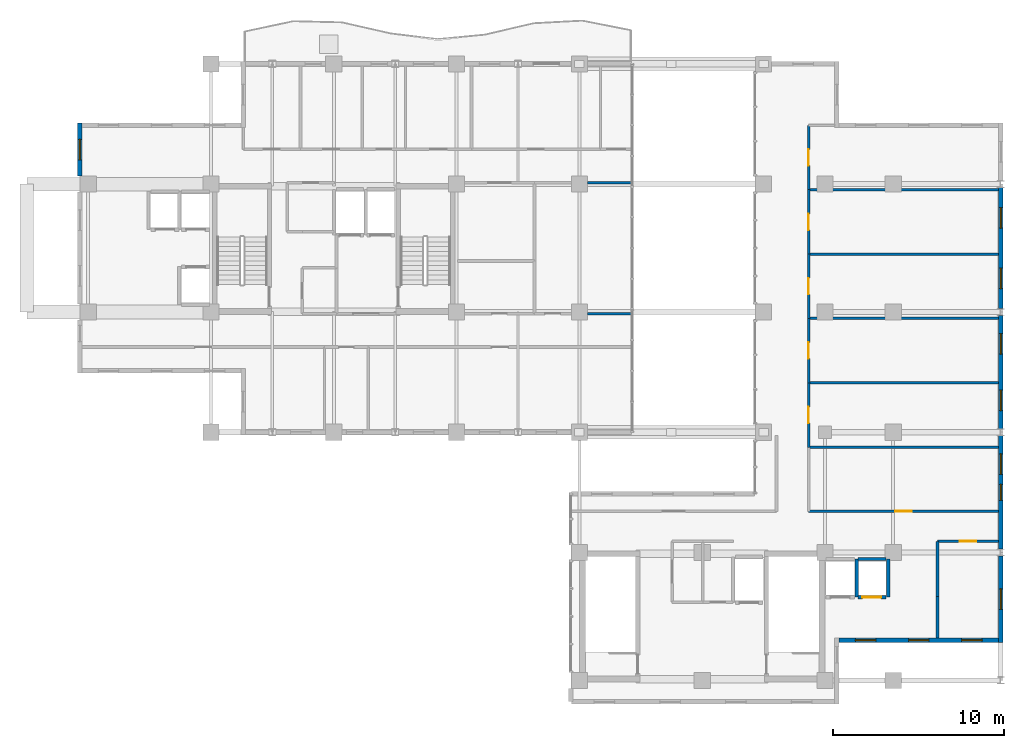
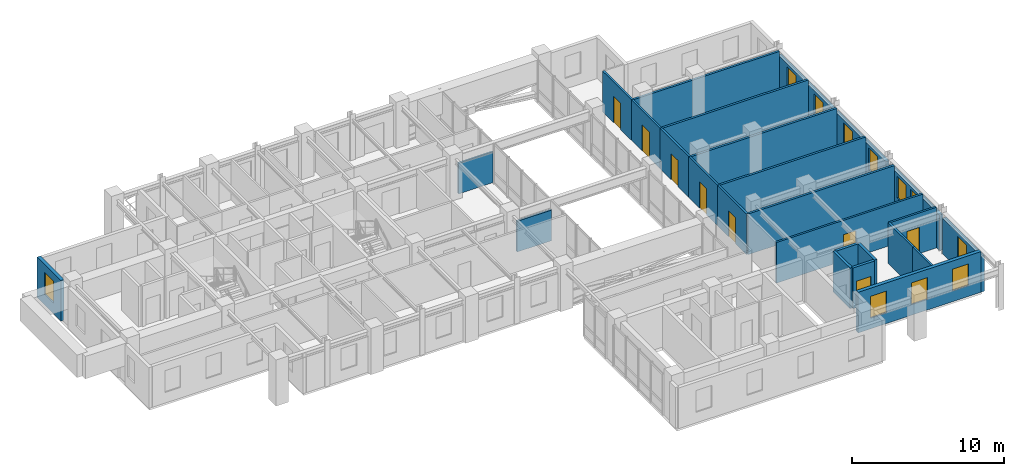
# One storey, part 19 of 23: 26 walls, 11 windows, 8 doors, 19 openings.
"""IFC4 building model written with IfcOpenShell, lengths in metres."""

from ifc_helpers import new_model, si_unit, direction, frame, frame_2d, origin, place, context, subcontext, project, spatial, rectangle, extrude, material, layer, layer_set, type_object, element, fill, save


model = new_model("IFC4")

# Units and contexts
model_context = context("Model", 3, precision=1e-05, world=origin(), true_north=direction((0.0, 1.0)))
body_context = subcontext(model_context, "Body", "Model", "MODEL_VIEW")
ifc_project = project(units=[si_unit("LENGTHUNIT", "METRE"), si_unit("AREAUNIT", "SQUARE_METRE"), si_unit("VOLUMEUNIT", "CUBIC_METRE"), si_unit("PLANEANGLEUNIT", "RADIAN"), si_unit("MASSUNIT", "GRAM", prefix="KILO")], contexts=[model_context])

# Site, building, storey
site_placement = place(None, origin())
site = spatial("IfcSite", under=ifc_project, at=site_placement, CompositionType="ELEMENT")
building_placement = place(site_placement, origin())
building = spatial("IfcBuilding", under=site, at=building_placement, Name="Kaliganga Portal Commons", CompositionType="ELEMENT")
storey_placement = place(building_placement, frame((0.0, 0.0, 246.199951171875)))
storey = spatial("IfcBuildingStorey", under=building, at=storey_placement, Name="L63", CompositionType="ELEMENT", Elevation=246.199951171875)

# Wall, opening, window
ifc_material_1 = material(Name="Insulated Aluminium-Clad Spandrel Assembly", Category="aluminium")
ifc_layer_1 = layer(ifc_material_1, 0.260009765625)
ifc_layer_set_1 = layer_set([ifc_layer_1], Name="Insulated Aluminium-Clad Spandrel Assembly")
wall_type_1 = type_object("IfcWallType", Name="WL-EXT-SPAND-260", PredefinedType="STANDARD", material=ifc_layer_set_1)
wall_1_placement = place(storey_placement, frame((6.699951171875, 36.6259765625, 0.0), z_axis=(0.0, 0.0, 1.0), x_axis=(0.0, 1.0, 0.0)))
wall_1 = element("IfcWall", 1, at=wall_1_placement, inside=storey, type_object=wall_type_1, Name="Exterior Envelope Wall L63 P1-E05-S1", PredefinedType="STANDARD", context=body_context, shape_type="SweptSolid", body=[
    extrude(rectangle(XDim=3.10400390625, YDim=0.260009765625, at=frame_2d((1.552001953125, 0.0))), origin(), (0.0, 0.0, 1.0), 3.260009765625),
])
opening_1_placement = place(wall_1_placement, frame((0.951904296875, 0.0, 0.85009765625)))
opening_1 = element("IfcOpeningElement", 2, at=opening_1_placement, cuts=wall_1, Name="Opening W-03", PredefinedType="OPENING", context=body_context, shape_type="SweptSolid", body=[
    extrude(rectangle(XDim=1.199951171875, YDim=1.75, at=frame_2d((0.60009765625, 0.875))), frame((0.0, 0.14013671875, 0.0), z_axis=(0.0, -1.0, 0.0), x_axis=(1.0, 0.0, 0.0)), (0.0, 0.0, 1.0), 0.280029296875),
])
ifc_material_2 = material(Name="Thermally Broken Aluminium and Low-E Double Glazing", Category="aluminium")
window_type_1 = type_object("IfcWindowType", Name="WIN-STD-1200", PartitioningType="SINGLE_PANEL", PredefinedType="WINDOW", material=ifc_material_2)
window_1_placement = place(opening_1_placement, origin())
window_1 = element("IfcWindow", 3, at=window_1_placement, inside=storey, type_object=window_type_1, Name="Facade Window L63-P1E05S1-00", OverallHeight=1.75, OverallWidth=1.199951171875, PartitioningType="SINGLE_PANEL", PredefinedType="WINDOW", context=body_context, shape_type="SweptSolid", body=[
    extrude(rectangle(XDim=1.199951171875, YDim=1.75, at=frame_2d((0.60009765625, 0.875))), frame((0.0, 0.030029296875, 0.0), z_axis=(0.0, -1.0, 0.0), x_axis=(1.0, 0.0, 0.0)), (0.0, 0.0, 1.0), 0.06005859375),
])
fill(opening_1, window_1)

# Wall, openings, windows
wall_2_placement = place(storey_placement, frame((60.56494140625, 9.39990234375, 0.0), z_axis=(0.0, 0.0, 1.0), x_axis=(-1.0, 0.0, 0.0)))
wall_2 = element("IfcWall", 4, at=wall_2_placement, inside=storey, type_object=wall_type_1, Name="Exterior Envelope Wall L63 P2-E02-S1", PredefinedType="STANDARD", context=body_context, shape_type="SweptSolid", body=[
    extrude(rectangle(XDim=9.329833984375, YDim=0.260009765625, at=frame_2d((4.6650390625, 0.0))), origin(), (0.0, 0.0, 1.0), 3.260009765625),
])
opening_2_placement = place(wall_2_placement, frame((0.955078125, 0.0, 0.85009765625)))
opening_2 = element("IfcOpeningElement", 5, at=opening_2_placement, cuts=wall_2, Name="Opening W-03", PredefinedType="OPENING", context=body_context, shape_type="SweptSolid", body=[
    extrude(rectangle(XDim=1.199951171875, YDim=1.75, at=frame_2d((0.60009765625, 0.875))), frame((0.0, 0.14013671875, 0.0), z_axis=(0.0, -1.0, 0.0), x_axis=(1.0, 0.0, 0.0)), (0.0, 0.0, 1.0), 0.280029296875),
])
opening_3_placement = place(wall_2_placement, frame((4.06494140625, 0.0, 0.85009765625)))
opening_3 = element("IfcOpeningElement", 6, at=opening_3_placement, cuts=wall_2, Name="Opening W-03", PredefinedType="OPENING", context=body_context, shape_type="SweptSolid", body=[
    extrude(rectangle(XDim=1.199951171875, YDim=1.75, at=frame_2d((0.60009765625, 0.875))), frame((0.0, 0.14013671875, 0.0), z_axis=(0.0, -1.0, 0.0), x_axis=(1.0, 0.0, 0.0)), (0.0, 0.0, 1.0), 0.280029296875),
])
opening_4_placement = place(wall_2_placement, frame((7.175048828125, 0.0, 0.85009765625)))
opening_4 = element("IfcOpeningElement", 7, at=opening_4_placement, cuts=wall_2, Name="Opening W-03", PredefinedType="OPENING", context=body_context, shape_type="SweptSolid", body=[
    extrude(rectangle(XDim=1.199951171875, YDim=1.75, at=frame_2d((0.60009765625, 0.875))), frame((0.0, 0.14013671875, 0.0), z_axis=(0.0, -1.0, 0.0), x_axis=(1.0, 0.0, 0.0)), (0.0, 0.0, 1.0), 0.280029296875),
])
window_2_placement = place(opening_2_placement, origin())
window_2 = element("IfcWindow", 8, at=window_2_placement, inside=storey, type_object=window_type_1, Name="Facade Window L63-P2E02S1-00", OverallHeight=1.75, OverallWidth=1.199951171875, PartitioningType="SINGLE_PANEL", PredefinedType="WINDOW", context=body_context, shape_type="SweptSolid", body=[
    extrude(rectangle(XDim=1.199951171875, YDim=1.75, at=frame_2d((0.60009765625, 0.875))), frame((0.0, 0.030029296875, 0.0), z_axis=(0.0, -1.0, 0.0), x_axis=(1.0, 0.0, 0.0)), (0.0, 0.0, 1.0), 0.06005859375),
])
fill(opening_2, window_2)
window_3_placement = place(opening_3_placement, origin())
window_3 = element("IfcWindow", 9, at=window_3_placement, inside=storey, type_object=window_type_1, Name="Facade Window L63-P2E02S1-01", OverallHeight=1.75, OverallWidth=1.199951171875, PartitioningType="SINGLE_PANEL", PredefinedType="WINDOW", context=body_context, shape_type="SweptSolid", body=[
    extrude(rectangle(XDim=1.199951171875, YDim=1.75, at=frame_2d((0.60009765625, 0.875))), frame((0.0, 0.030029296875, 0.0), z_axis=(0.0, -1.0, 0.0), x_axis=(1.0, 0.0, 0.0)), (0.0, 0.0, 1.0), 0.06005859375),
])
fill(opening_3, window_3)
window_4_placement = place(opening_4_placement, origin())
window_4 = element("IfcWindow", 10, at=window_4_placement, inside=storey, type_object=window_type_1, Name="Facade Window L63-P2E02S1-02", OverallHeight=1.75, OverallWidth=1.199951171875, PartitioningType="SINGLE_PANEL", PredefinedType="WINDOW", context=body_context, shape_type="SweptSolid", body=[
    extrude(rectangle(XDim=1.199951171875, YDim=1.75, at=frame_2d((0.60009765625, 0.875))), frame((0.0, 0.030029296875, 0.0), z_axis=(0.0, -1.0, 0.0), x_axis=(1.0, 0.0, 0.0)), (0.0, 0.0, 1.0), 0.06005859375),
])
fill(opening_4, window_4)

# Wall, opening, window
wall_3_placement = place(storey_placement, frame((60.699951171875, 14.34912109375, 0.0), z_axis=(0.0, 0.0, 1.0), x_axis=(0.0, -1.0, 0.0)))
wall_3 = element("IfcWall", 11, at=wall_3_placement, inside=storey, type_object=wall_type_1, Name="Exterior Envelope Wall L63 P2-E03-S1", PredefinedType="STANDARD", context=body_context, shape_type="SweptSolid", body=[
    extrude(rectangle(XDim=5.0791015625, YDim=0.260009765625, at=frame_2d((2.53955078125, 0.0))), origin(), (0.0, 0.0, 1.0), 2.860107421875),
])
opening_5_placement = place(wall_3_placement, frame((1.939453125, 0.0, 0.85009765625)))
opening_5 = element("IfcOpeningElement", 12, at=opening_5_placement, cuts=wall_3, Name="Opening W-03", PredefinedType="OPENING", context=body_context, shape_type="SweptSolid", body=[
    extrude(rectangle(XDim=1.199951171875, YDim=1.75, at=frame_2d((0.60009765625, 0.875))), frame((0.0, 0.14013671875, 0.0), z_axis=(0.0, -1.0, 0.0), x_axis=(1.0, 0.0, 0.0)), (0.0, 0.0, 1.0), 0.280029296875),
])
window_5_placement = place(opening_5_placement, origin())
window_5 = element("IfcWindow", 13, at=window_5_placement, inside=storey, type_object=window_type_1, Name="Facade Window L63-P2E03S1-00", OverallHeight=1.75, OverallWidth=1.199951171875, PartitioningType="SINGLE_PANEL", PredefinedType="WINDOW", context=body_context, shape_type="SweptSolid", body=[
    extrude(rectangle(XDim=1.199951171875, YDim=1.75, at=frame_2d((0.60009765625, 0.875))), frame((0.0, 0.030029296875, 0.0), z_axis=(0.0, -1.0, 0.0), x_axis=(1.0, 0.0, 0.0)), (0.0, 0.0, 1.0), 0.06005859375),
])
fill(opening_5, window_5)

# Wall, openings, windows
wall_4_placement = place(storey_placement, frame((60.699951171875, 21.39892578125, 0.0), z_axis=(0.0, 0.0, 1.0), x_axis=(0.0, -1.0, 0.0)))
wall_4 = element("IfcWall", 14, at=wall_4_placement, inside=storey, type_object=wall_type_1, Name="Exterior Envelope Wall L63 P2-E03-S2", PredefinedType="STANDARD", context=body_context, shape_type="SweptSolid", body=[
    extrude(rectangle(XDim=6.64794921875, YDim=0.260009765625, at=frame_2d((3.323974609375, 0.0))), origin(), (0.0, 0.0, 1.0), 2.860107421875),
])
opening_6_placement = place(wall_4_placement, frame((1.06201171875, 0.0, 0.85009765625)))
opening_6 = element("IfcOpeningElement", 15, at=opening_6_placement, cuts=wall_4, Name="Opening W-03", PredefinedType="OPENING", context=body_context, shape_type="SweptSolid", body=[
    extrude(rectangle(XDim=1.199951171875, YDim=1.75, at=frame_2d((0.60009765625, 0.875))), frame((0.0, 0.14013671875, 0.0), z_axis=(0.0, -1.0, 0.0), x_axis=(1.0, 0.0, 0.0)), (0.0, 0.0, 1.0), 0.280029296875),
])
opening_7_placement = place(wall_4_placement, frame((2.84912109375, 0.0, 0.85009765625)))
opening_7 = element("IfcOpeningElement", 16, at=opening_7_placement, cuts=wall_4, Name="Opening W-04", PredefinedType="OPENING", context=body_context, shape_type="SweptSolid", body=[
    extrude(rectangle(XDim=0.949951171875, YDim=1.75, at=frame_2d((0.47509765625, 0.875))), frame((0.0, 0.14013671875, 0.0), z_axis=(0.0, -1.0, 0.0), x_axis=(1.0, 0.0, 0.0)), (0.0, 0.0, 1.0), 0.280029296875),
])
window_type_2 = type_object("IfcWindowType", Name="WIN-NARROW-950", PartitioningType="SINGLE_PANEL", PredefinedType="WINDOW", material=ifc_material_2)
window_6_placement = place(opening_7_placement, origin())
window_6 = element("IfcWindow", 17, at=window_6_placement, inside=storey, type_object=window_type_2, Name="Facade Window L63-P2E03S2-N0", OverallHeight=1.75, OverallWidth=0.949951171875, PartitioningType="SINGLE_PANEL", PredefinedType="WINDOW", context=body_context, shape_type="SweptSolid", body=[
    extrude(rectangle(XDim=0.949951171875, YDim=1.75, at=frame_2d((0.47509765625, 0.875))), frame((0.0, 0.030029296875, 0.0), z_axis=(0.0, -1.0, 0.0), x_axis=(1.0, 0.0, 0.0)), (0.0, 0.0, 1.0), 0.06005859375),
])
fill(opening_7, window_6)
window_7_placement = place(opening_6_placement, origin())
window_7 = element("IfcWindow", 18, at=window_7_placement, inside=storey, type_object=window_type_1, Name="Facade Window L63-P2E03S2-00", OverallHeight=1.75, OverallWidth=1.199951171875, PartitioningType="SINGLE_PANEL", PredefinedType="WINDOW", context=body_context, shape_type="SweptSolid", body=[
    extrude(rectangle(XDim=1.199951171875, YDim=1.75, at=frame_2d((0.60009765625, 0.875))), frame((0.0, 0.030029296875, 0.0), z_axis=(0.0, -1.0, 0.0), x_axis=(1.0, 0.0, 0.0)), (0.0, 0.0, 1.0), 0.06005859375),
])
fill(opening_6, window_7)

wall_5_placement = place(storey_placement, frame((60.699951171875, 28.448974609375, 0.0), z_axis=(0.0, 0.0, 1.0), x_axis=(0.0, -1.0, 0.0)))
wall_5 = element("IfcWall", 19, at=wall_5_placement, inside=storey, type_object=wall_type_1, Name="Exterior Envelope Wall L63 P2-E03-S3", PredefinedType="STANDARD", context=body_context, shape_type="SweptSolid", body=[
    extrude(rectangle(XDim=6.64794921875, YDim=0.260009765625, at=frame_2d((3.323974609375, 0.0))), origin(), (0.0, 0.0, 1.0), 2.860107421875),
])
opening_8_placement = place(wall_5_placement, frame((1.06201171875, 0.0, 0.85009765625)))
opening_8 = element("IfcOpeningElement", 20, at=opening_8_placement, cuts=wall_5, Name="Opening W-03", PredefinedType="OPENING", context=body_context, shape_type="SweptSolid", body=[
    extrude(rectangle(XDim=1.199951171875, YDim=1.75, at=frame_2d((0.60009765625, 0.875))), frame((0.0, 0.14013671875, 0.0), z_axis=(0.0, -1.0, 0.0), x_axis=(1.0, 0.0, 0.0)), (0.0, 0.0, 1.0), 0.280029296875),
])
opening_9_placement = place(wall_5_placement, frame((4.385986328125, 0.0, 0.85009765625)))
opening_9 = element("IfcOpeningElement", 21, at=opening_9_placement, cuts=wall_5, Name="Opening W-03", PredefinedType="OPENING", context=body_context, shape_type="SweptSolid", body=[
    extrude(rectangle(XDim=1.199951171875, YDim=1.75, at=frame_2d((0.60009765625, 0.875))), frame((0.0, 0.14013671875, 0.0), z_axis=(0.0, -1.0, 0.0), x_axis=(1.0, 0.0, 0.0)), (0.0, 0.0, 1.0), 0.280029296875),
])
window_8_placement = place(opening_8_placement, origin())
window_8 = element("IfcWindow", 22, at=window_8_placement, inside=storey, type_object=window_type_1, Name="Facade Window L63-P2E03S3-00", OverallHeight=1.75, OverallWidth=1.199951171875, PartitioningType="SINGLE_PANEL", PredefinedType="WINDOW", context=body_context, shape_type="SweptSolid", body=[
    extrude(rectangle(XDim=1.199951171875, YDim=1.75, at=frame_2d((0.60009765625, 0.875))), frame((0.0, 0.030029296875, 0.0), z_axis=(0.0, -1.0, 0.0), x_axis=(1.0, 0.0, 0.0)), (0.0, 0.0, 1.0), 0.06005859375),
])
fill(opening_8, window_8)
window_9_placement = place(opening_9_placement, origin())
window_9 = element("IfcWindow", 23, at=window_9_placement, inside=storey, type_object=window_type_1, Name="Facade Window L63-P2E03S3-01", OverallHeight=1.75, OverallWidth=1.199951171875, PartitioningType="SINGLE_PANEL", PredefinedType="WINDOW", context=body_context, shape_type="SweptSolid", body=[
    extrude(rectangle(XDim=1.199951171875, YDim=1.75, at=frame_2d((0.60009765625, 0.875))), frame((0.0, 0.030029296875, 0.0), z_axis=(0.0, -1.0, 0.0), x_axis=(1.0, 0.0, 0.0)), (0.0, 0.0, 1.0), 0.06005859375),
])
fill(opening_9, window_9)

wall_6_placement = place(storey_placement, frame((60.699951171875, 35.948974609375, 0.0), z_axis=(0.0, 0.0, 1.0), x_axis=(0.0, -1.0, 0.0)))
wall_6 = element("IfcWall", 24, at=wall_6_placement, inside=storey, type_object=wall_type_1, Name="Exterior Envelope Wall L63 P2-E03-S4", PredefinedType="STANDARD", context=body_context, shape_type="SweptSolid", body=[
    extrude(rectangle(XDim=7.097900390625, YDim=0.260009765625, at=frame_2d((3.548828125, 0.0))), origin(), (0.0, 0.0, 1.0), 2.860107421875),
])
opening_10_placement = place(wall_6_placement, frame((1.174560546875, 0.0, 0.85009765625)))
opening_10 = element("IfcOpeningElement", 25, at=opening_10_placement, cuts=wall_6, Name="Opening W-03", PredefinedType="OPENING", context=body_context, shape_type="SweptSolid", body=[
    extrude(rectangle(XDim=1.199951171875, YDim=1.75, at=frame_2d((0.60009765625, 0.875))), frame((0.0, 0.14013671875, 0.0), z_axis=(0.0, -1.0, 0.0), x_axis=(1.0, 0.0, 0.0)), (0.0, 0.0, 1.0), 0.280029296875),
])
opening_11_placement = place(wall_6_placement, frame((4.723388671875, 0.0, 0.85009765625)))
opening_11 = element("IfcOpeningElement", 26, at=opening_11_placement, cuts=wall_6, Name="Opening W-03", PredefinedType="OPENING", context=body_context, shape_type="SweptSolid", body=[
    extrude(rectangle(XDim=1.199951171875, YDim=1.75, at=frame_2d((0.60009765625, 0.875))), frame((0.0, 0.14013671875, 0.0), z_axis=(0.0, -1.0, 0.0), x_axis=(1.0, 0.0, 0.0)), (0.0, 0.0, 1.0), 0.280029296875),
])
window_10_placement = place(opening_10_placement, origin())
window_10 = element("IfcWindow", 27, at=window_10_placement, inside=storey, type_object=window_type_1, Name="Facade Window L63-P2E03S4-00", OverallHeight=1.75, OverallWidth=1.199951171875, PartitioningType="SINGLE_PANEL", PredefinedType="WINDOW", context=body_context, shape_type="SweptSolid", body=[
    extrude(rectangle(XDim=1.199951171875, YDim=1.75, at=frame_2d((0.60009765625, 0.875))), frame((0.0, 0.030029296875, 0.0), z_axis=(0.0, -1.0, 0.0), x_axis=(1.0, 0.0, 0.0)), (0.0, 0.0, 1.0), 0.06005859375),
])
fill(opening_10, window_10)
window_11_placement = place(opening_11_placement, origin())
window_11 = element("IfcWindow", 28, at=window_11_placement, inside=storey, type_object=window_type_1, Name="Facade Window L63-P2E03S4-01", OverallHeight=1.75, OverallWidth=1.199951171875, PartitioningType="SINGLE_PANEL", PredefinedType="WINDOW", context=body_context, shape_type="SweptSolid", body=[
    extrude(rectangle(XDim=1.199951171875, YDim=1.75, at=frame_2d((0.60009765625, 0.875))), frame((0.0, 0.030029296875, 0.0), z_axis=(0.0, -1.0, 0.0), x_axis=(1.0, 0.0, 0.0)), (0.0, 0.0, 1.0), 0.06005859375),
])
fill(opening_11, window_11)

# Wall, opening, door
ifc_material_3 = material(Name="Fire-Rated Gypsum Board on Steel Stud", Category="steel")
ifc_layer_2 = layer(ifc_material_3, 0.14990234375)
ifc_layer_set_2 = layer_set([ifc_layer_2], Name="Fire-Rated Gypsum Board on Steel Stud")
wall_type_2 = type_object("IfcWallType", Name="WL-PART-CORR-150", PredefinedType="PARTITIONING", material=ifc_layer_set_2)
wall_7_placement = place(storey_placement, frame((49.43994140625, 16.9599609375, 0.0), z_axis=(0.0, 0.0, 1.0), x_axis=(1.0, 0.0, 0.0)))
wall_7 = element("IfcWall", 29, at=wall_7_placement, inside=storey, type_object=wall_type_2, Name="Interior Partition L63-004", PredefinedType="PARTITIONING", context=body_context, shape_type="SweptSolid", body=[
    extrude(rectangle(XDim=11.128173828125, YDim=0.14990234375, at=frame_2d((5.56396484375, 0.0))), origin(), (0.0, 0.0, 1.0), 3.260009765625),
])
opening_12_placement = place(wall_7_placement, frame((5.089111328125, 0.0, 0.0)))
opening_12 = element("IfcOpeningElement", 30, at=opening_12_placement, cuts=wall_7, Name="Opening UD-01", PredefinedType="OPENING", context=body_context, shape_type="SweptSolid", body=[
    extrude(rectangle(XDim=0.949951171875, YDim=2.10009765625, at=frame_2d((0.47509765625, 1.050048828125))), frame((0.0, 0.0849609375, 0.0), z_axis=(0.0, -1.0, 0.0), x_axis=(1.0, 0.0, 0.0)), (0.0, 0.0, 1.0), 0.169921875),
])
ifc_material_4 = material(Name="Solid-Core Timber Acoustic Fire Door", Category="wood")
door_type_1 = type_object("IfcDoorType", Name="DR-UNIT-950", OperationType="NOTDEFINED", PredefinedType="DOOR", material=ifc_material_4)
door_1_placement = place(opening_12_placement, origin())
door_1 = element("IfcDoor", 31, at=door_1_placement, inside=storey, type_object=door_type_1, Name="Interior Door L63-BP01", OperationType="SINGLE_SWING_LEFT", OverallHeight=2.10009765625, OverallWidth=0.949951171875, PredefinedType="DOOR", context=body_context, shape_type="SweptSolid", body=[
    extrude(rectangle(XDim=0.949951171875, YDim=2.10009765625, at=frame_2d((0.47509765625, 1.050048828125))), frame((0.0, 0.02490234375, 0.0), z_axis=(0.0, -1.0, 0.0), x_axis=(1.0, 0.0, 0.0)), (0.0, 0.0, 1.0), 0.050048828125),
])
fill(opening_12, door_1)

# Walls
for number, where, z_axis, x_axis, name in (
    (32, (36.47509765625, 28.56005859375, 0.0), (0.0, 0.0, 1.0), (1.0, 0.0, 0.0), "Interior Partition L63-007"),
    (33, (36.47509765625, 36.239990234375, 0.0), (0.0, 0.0, 1.0), (1.0, 0.0, 0.0), "Interior Partition L63-009"),
):
    element("IfcWall", number, at=place(storey_placement, frame(where, z_axis=z_axis, x_axis=x_axis)), inside=storey, type_object=wall_type_2, Name=name, PredefinedType="PARTITIONING", context=body_context, shape_type="SweptSolid", body=[
        extrude(rectangle(XDim=2.60498046875, YDim=0.14990234375, at=frame_2d((1.302490234375, 0.0))), origin(), (0.0, 0.0, 1.0), 2.4599609375),
    ])

# Wall, opening, door
wall_8_placement = place(storey_placement, frame((49.43994140625, 20.719970703125, 0.0), z_axis=(0.0, 0.0, 1.0), x_axis=(0.0, 1.0, 0.0)))
wall_8 = element("IfcWall", 34, at=wall_8_placement, inside=storey, type_object=wall_type_2, Name="Interior Partition L63-014", PredefinedType="PARTITIONING", context=body_context, shape_type="SweptSolid", body=[
    extrude(rectangle(XDim=3.780029296875, YDim=0.14990234375, at=frame_2d((1.89013671875, 0.0))), origin(), (0.0, 0.0, 1.0), 3.260009765625),
])
opening_13_placement = place(wall_8_placement, frame((1.4150390625, 0.0, 0.0)))
opening_13 = element("IfcOpeningElement", 35, at=opening_13_placement, cuts=wall_8, Name="Opening UD-01", PredefinedType="OPENING", context=body_context, shape_type="SweptSolid", body=[
    extrude(rectangle(XDim=0.949951171875, YDim=2.10009765625, at=frame_2d((0.47509765625, 1.050048828125))), frame((0.0, 0.0849609375, 0.0), z_axis=(0.0, -1.0, 0.0), x_axis=(1.0, 0.0, 0.0)), (0.0, 0.0, 1.0), 0.169921875),
])
door_2_placement = place(opening_13_placement, origin())
door_2 = element("IfcDoor", 36, at=door_2_placement, inside=storey, type_object=door_type_1, Name="Interior Door L63-BP02", OperationType="SINGLE_SWING_LEFT", OverallHeight=2.10009765625, OverallWidth=0.949951171875, PredefinedType="DOOR", context=body_context, shape_type="SweptSolid", body=[
    extrude(rectangle(XDim=0.949951171875, YDim=2.10009765625, at=frame_2d((0.47509765625, 1.050048828125))), frame((0.0, 0.02490234375, 0.0), z_axis=(0.0, -1.0, 0.0), x_axis=(1.0, 0.0, 0.0)), (0.0, 0.0, 1.0), 0.050048828125),
])
fill(opening_13, door_2)

wall_9_placement = place(storey_placement, frame((49.43994140625, 24.5, 0.0), z_axis=(0.0, 0.0, 1.0), x_axis=(0.0, 1.0, 0.0)))
wall_9 = element("IfcWall", 37, at=wall_9_placement, inside=storey, type_object=wall_type_2, Name="Interior Partition L63-015", PredefinedType="PARTITIONING", context=body_context, shape_type="SweptSolid", body=[
    extrude(rectangle(XDim=3.780029296875, YDim=0.14990234375, at=frame_2d((1.89013671875, 0.0))), origin(), (0.0, 0.0, 1.0), 3.260009765625),
])
opening_14_placement = place(wall_9_placement, frame((1.4150390625, 0.0, 0.0)))
opening_14 = element("IfcOpeningElement", 38, at=opening_14_placement, cuts=wall_9, Name="Opening UD-01", PredefinedType="OPENING", context=body_context, shape_type="SweptSolid", body=[
    extrude(rectangle(XDim=0.949951171875, YDim=2.10009765625, at=frame_2d((0.47509765625, 1.050048828125))), frame((0.0, 0.0849609375, 0.0), z_axis=(0.0, -1.0, 0.0), x_axis=(1.0, 0.0, 0.0)), (0.0, 0.0, 1.0), 0.169921875),
])
door_3_placement = place(opening_14_placement, origin())
door_3 = element("IfcDoor", 39, at=door_3_placement, inside=storey, type_object=door_type_1, Name="Interior Door L63-BP03", OperationType="SINGLE_SWING_RIGHT", OverallHeight=2.10009765625, OverallWidth=0.949951171875, PredefinedType="DOOR", context=body_context, shape_type="SweptSolid", body=[
    extrude(rectangle(XDim=0.949951171875, YDim=2.10009765625, at=frame_2d((0.47509765625, 1.050048828125))), frame((0.0, 0.02490234375, 0.0), z_axis=(0.0, -1.0, 0.0), x_axis=(1.0, 0.0, 0.0)), (0.0, 0.0, 1.0), 0.050048828125),
])
fill(opening_14, door_3)

wall_10_placement = place(storey_placement, frame((49.43994140625, 32.0400390625, 0.0), z_axis=(0.0, 0.0, 1.0), x_axis=(0.0, 1.0, 0.0)))
wall_10 = element("IfcWall", 40, at=wall_10_placement, inside=storey, type_object=wall_type_2, Name="Interior Partition L63-016", PredefinedType="PARTITIONING", context=body_context, shape_type="SweptSolid", body=[
    extrude(rectangle(XDim=3.780029296875, YDim=0.14990234375, at=frame_2d((1.89013671875, 0.0))), origin(), (0.0, 0.0, 1.0), 3.260009765625),
])
opening_15_placement = place(wall_10_placement, frame((1.4150390625, 0.0, 0.0)))
opening_15 = element("IfcOpeningElement", 41, at=opening_15_placement, cuts=wall_10, Name="Opening UD-01", PredefinedType="OPENING", context=body_context, shape_type="SweptSolid", body=[
    extrude(rectangle(XDim=0.949951171875, YDim=2.10009765625, at=frame_2d((0.47509765625, 1.050048828125))), frame((0.0, 0.0849609375, 0.0), z_axis=(0.0, -1.0, 0.0), x_axis=(1.0, 0.0, 0.0)), (0.0, 0.0, 1.0), 0.169921875),
])
door_4_placement = place(opening_15_placement, origin())
door_4 = element("IfcDoor", 42, at=door_4_placement, inside=storey, type_object=door_type_1, Name="Interior Door L63-BP05", OperationType="SINGLE_SWING_LEFT", OverallHeight=2.10009765625, OverallWidth=0.949951171875, PredefinedType="DOOR", context=body_context, shape_type="SweptSolid", body=[
    extrude(rectangle(XDim=0.949951171875, YDim=2.10009765625, at=frame_2d((0.47509765625, 1.050048828125))), frame((0.0, 0.02490234375, 0.0), z_axis=(0.0, -1.0, 0.0), x_axis=(1.0, 0.0, 0.0)), (0.0, 0.0, 1.0), 0.050048828125),
])
fill(opening_15, door_4)

wall_11_placement = place(storey_placement, frame((49.43994140625, 35.820068359375, 0.0), z_axis=(0.0, 0.0, 1.0), x_axis=(0.0, 1.0, 0.0)))
wall_11 = element("IfcWall", 43, at=wall_11_placement, inside=storey, type_object=wall_type_2, Name="Interior Partition L63-017", PredefinedType="PARTITIONING", context=body_context, shape_type="SweptSolid", body=[
    extrude(rectangle(XDim=3.780029296875, YDim=0.14990234375, at=frame_2d((1.89013671875, 0.0))), origin(), (0.0, 0.0, 1.0), 3.260009765625),
])
opening_16_placement = place(wall_11_placement, frame((1.4150390625, 0.0, 0.0)))
opening_16 = element("IfcOpeningElement", 44, at=opening_16_placement, cuts=wall_11, Name="Opening UD-01", PredefinedType="OPENING", context=body_context, shape_type="SweptSolid", body=[
    extrude(rectangle(XDim=0.949951171875, YDim=2.10009765625, at=frame_2d((0.47509765625, 1.050048828125))), frame((0.0, 0.0849609375, 0.0), z_axis=(0.0, -1.0, 0.0), x_axis=(1.0, 0.0, 0.0)), (0.0, 0.0, 1.0), 0.169921875),
])
door_5_placement = place(opening_16_placement, origin())
door_5 = element("IfcDoor", 45, at=door_5_placement, inside=storey, type_object=door_type_1, Name="Interior Door L63-BP06", OperationType="SINGLE_SWING_RIGHT", OverallHeight=2.10009765625, OverallWidth=0.949951171875, PredefinedType="DOOR", context=body_context, shape_type="SweptSolid", body=[
    extrude(rectangle(XDim=0.949951171875, YDim=2.10009765625, at=frame_2d((0.47509765625, 1.050048828125))), frame((0.0, 0.02490234375, 0.0), z_axis=(0.0, -1.0, 0.0), x_axis=(1.0, 0.0, 0.0)), (0.0, 0.0, 1.0), 0.050048828125),
])
fill(opening_16, door_5)

wall_12_placement = place(storey_placement, frame((49.43994140625, 28.280029296875, 0.0), z_axis=(0.0, 0.0, 1.0), x_axis=(0.0, 1.0, 0.0)))
wall_12 = element("IfcWall", 46, at=wall_12_placement, inside=storey, type_object=wall_type_2, Name="Interior Partition L63-019", PredefinedType="PARTITIONING", context=body_context, shape_type="SweptSolid", body=[
    extrude(rectangle(XDim=3.760009765625, YDim=0.14990234375, at=frame_2d((1.8798828125, 0.0))), origin(), (0.0, 0.0, 1.0), 3.260009765625),
])
opening_17_placement = place(wall_12_placement, frame((1.405029296875, 0.0, 0.0)))
opening_17 = element("IfcOpeningElement", 47, at=opening_17_placement, cuts=wall_12, Name="Opening UD-01", PredefinedType="OPENING", context=body_context, shape_type="SweptSolid", body=[
    extrude(rectangle(XDim=0.949951171875, YDim=2.10009765625, at=frame_2d((0.47509765625, 1.050048828125))), frame((0.0, 0.0849609375, 0.0), z_axis=(0.0, -1.0, 0.0), x_axis=(1.0, 0.0, 0.0)), (0.0, 0.0, 1.0), 0.169921875),
])
door_6_placement = place(opening_17_placement, origin())
door_6 = element("IfcDoor", 48, at=door_6_placement, inside=storey, type_object=door_type_1, Name="Interior Door L63-BP04", OperationType="SINGLE_SWING_LEFT", OverallHeight=2.10009765625, OverallWidth=0.949951171875, PredefinedType="DOOR", context=body_context, shape_type="SweptSolid", body=[
    extrude(rectangle(XDim=0.949951171875, YDim=2.10009765625, at=frame_2d((0.47509765625, 1.050048828125))), frame((0.0, 0.02490234375, 0.0), z_axis=(0.0, -1.0, 0.0), x_axis=(1.0, 0.0, 0.0)), (0.0, 0.0, 1.0), 0.050048828125),
])
fill(opening_17, door_6)

wall_13_placement = place(storey_placement, frame((57.0, 15.199951171875, 0.0), z_axis=(0.0, 0.0, 1.0), x_axis=(1.0, 0.0, 0.0)))
wall_13 = element("IfcWall", 49, at=wall_13_placement, inside=storey, type_object=wall_type_2, Name="Interior Partition L63-020", PredefinedType="PARTITIONING", context=body_context, shape_type="SweptSolid", body=[
    extrude(rectangle(XDim=3.568115234375, YDim=0.14990234375, at=frame_2d((1.7841796875, 0.0))), origin(), (0.0, 0.0, 1.0), 3.260009765625),
])
opening_18_placement = place(wall_13_placement, frame((1.30908203125, 0.0, 0.0)))
opening_18 = element("IfcOpeningElement", 50, at=opening_18_placement, cuts=wall_13, Name="Opening UD-01", PredefinedType="OPENING", context=body_context, shape_type="SweptSolid", body=[
    extrude(rectangle(XDim=0.949951171875, YDim=2.10009765625, at=frame_2d((0.47509765625, 1.050048828125))), frame((0.0, 0.0849609375, 0.0), z_axis=(0.0, -1.0, 0.0), x_axis=(1.0, 0.0, 0.0)), (0.0, 0.0, 1.0), 0.169921875),
])
door_7_placement = place(opening_18_placement, origin())
door_7 = element("IfcDoor", 51, at=door_7_placement, inside=storey, type_object=door_type_1, Name="Interior Door L63-BPE01", OperationType="SINGLE_SWING_RIGHT", OverallHeight=2.10009765625, OverallWidth=0.949951171875, PredefinedType="DOOR", context=body_context, shape_type="SweptSolid", body=[
    extrude(rectangle(XDim=0.949951171875, YDim=2.10009765625, at=frame_2d((0.47509765625, 1.050048828125))), frame((0.0, 0.02490234375, 0.0), z_axis=(0.0, -1.0, 0.0), x_axis=(1.0, 0.0, 0.0)), (0.0, 0.0, 1.0), 0.050048828125),
])
fill(opening_18, door_7)

# Walls
wall_14_placement = place(storey_placement, frame((57.0, 11.9599609375, 0.0), z_axis=(0.0, 0.0, 1.0), x_axis=(0.0, 1.0, 0.0)))
element("IfcWall", 52, at=wall_14_placement, inside=storey, type_object=wall_type_2, Name="Interior Partition L63-024", PredefinedType="PARTITIONING", context=body_context, shape_type="SweptSolid", body=[
    extrude(rectangle(XDim=3.239990234375, YDim=0.14990234375, at=frame_2d((1.6201171875, 0.0))), origin(), (0.0, 0.0, 1.0), 3.260009765625),
])
wall_15_placement = place(storey_placement, frame((57.0, 9.531982421875, 0.0), z_axis=(0.0, 0.0, 1.0), x_axis=(0.0, 1.0, 0.0)))
element("IfcWall", 53, at=wall_15_placement, inside=storey, type_object=wall_type_2, Name="Interior Partition L63-031", PredefinedType="PARTITIONING", context=body_context, shape_type="SweptSolid", body=[
    extrude(rectangle(XDim=2.427978515625, YDim=0.14990234375, at=frame_2d((1.2138671875, 0.0))), origin(), (0.0, 0.0, 1.0), 3.260009765625),
])
ifc_material_5 = material(Name="Twin-Stud Acoustic Gypsum Partition", Category="gypsum")
ifc_layer_3 = layer(ifc_material_5, 0.1650390625)
ifc_layer_set_3 = layer_set([ifc_layer_3], Name="Twin-Stud Acoustic Gypsum Partition")
wall_type_3 = type_object("IfcWallType", Name="WL-PART-UNIT-165", PredefinedType="PARTITIONING", material=ifc_layer_set_3)
for number, where, z_axis, x_axis, name in (
    (54, (49.43994140625, 20.719970703125, 0.0), (0.0, 0.0, 1.0), (1.0, 0.0, 0.0), "Interior Partition L63-041"),
    (55, (49.43994140625, 24.5, 0.0), (0.0, 0.0, 1.0), (1.0, 0.0, 0.0), "Interior Partition L63-042"),
    (56, (49.43994140625, 28.280029296875, 0.0), (0.0, 0.0, 1.0), (1.0, 0.0, 0.0), "Interior Partition L63-043"),
    (57, (49.43994140625, 32.0400390625, 0.0), (0.0, 0.0, 1.0), (1.0, 0.0, 0.0), "Interior Partition L63-044"),
    (58, (49.43994140625, 35.820068359375, 0.0), (0.0, 0.0, 1.0), (1.0, 0.0, 0.0), "Interior Partition L63-045"),
):
    element("IfcWall", number, at=place(storey_placement, frame(where, z_axis=z_axis, x_axis=x_axis)), inside=storey, type_object=wall_type_3, Name=name, PredefinedType="PARTITIONING", context=body_context, shape_type="SweptSolid", body=[
        extrude(rectangle(XDim=11.128173828125, YDim=0.1650390625, at=frame_2d((5.56396484375, 0.0))), origin(), (0.0, 0.0, 1.0), 3.260009765625),
    ])
ifc_material_6 = material(Name="Fire-Rated Shaftwall Masonry Assembly", Category="masonry")
ifc_layer_4 = layer(ifc_material_6, 0.199951171875)
ifc_layer_set_4 = layer_set([ifc_layer_4], Name="Fire-Rated Shaftwall Masonry Assembly")
wall_type_4 = type_object("IfcWallType", Name="WL-SHAFT-200", PredefinedType="PARTITIONING", material=ifc_layer_set_4)
wall_16_placement = place(storey_placement, frame((52.264892578125, 11.93505859375, 0.0), z_axis=(0.0, 0.0, 1.0), x_axis=(0.0, 1.0, 0.0)))
element("IfcWall", 59, at=wall_16_placement, inside=storey, type_object=wall_type_4, Name="Lift PL-B3 Hoistway Shaft Wall L63-E", PredefinedType="PARTITIONING", context=body_context, shape_type="SweptSolid", body=[
    extrude(rectangle(XDim=2.22998046875, YDim=0.199951171875, at=frame_2d((1.114990234375, 0.0))), origin(), (0.0, 0.0, 1.0), 3.260009765625),
])

# Wall, opening, door
wall_17_placement = place(storey_placement, frame((52.324951171875, 11.93505859375, 0.0), z_axis=(0.0, 0.0, 1.0), x_axis=(1.0, 0.0, 0.0)))
wall_17 = element("IfcWall", 60, at=wall_17_placement, inside=storey, type_object=wall_type_4, Name="Lift PL-B4 Hoistway Shaft Wall L63-S", PredefinedType="PARTITIONING", context=body_context, shape_type="SweptSolid", body=[
    extrude(rectangle(XDim=1.650146484375, YDim=0.199951171875, at=frame_2d((0.8251953125, 0.0))), origin(), (0.0, 0.0, 1.0), 3.260009765625),
])
opening_19_placement = place(wall_17_placement, frame((0.27490234375, 0.0, 0.0)))
opening_19 = element("IfcOpeningElement", 61, at=opening_19_placement, cuts=wall_17, Name="Opening LD-01", PredefinedType="OPENING", context=body_context, shape_type="SweptSolid", body=[
    extrude(rectangle(XDim=1.10009765625, YDim=2.1201171875, at=frame_2d((0.550048828125, 1.06005859375))), frame((0.0, 0.10986328125, 0.0), z_axis=(0.0, -1.0, 0.0), x_axis=(1.0, 0.0, 0.0)), (0.0, 0.0, 1.0), 0.219970703125),
])
ifc_material_7 = material(Name="Brushed Stainless Steel 316 Lift Landing Door", Category="steel")
door_type_2 = type_object("IfcDoorType", Name="DR-LIFT-1100", OperationType="SLIDING_TO_LEFT", PredefinedType="DOOR", material=ifc_material_7)
door_8_placement = place(opening_19_placement, origin())
door_8 = element("IfcDoor", 62, at=door_8_placement, inside=storey, type_object=door_type_2, Name="Lift PL-B4 Sliding Landing Door L63", OperationType="SLIDING_TO_LEFT", OverallHeight=2.1201171875, OverallWidth=1.10009765625, PredefinedType="DOOR", context=body_context, shape_type="SweptSolid", body=[
    extrude(rectangle(XDim=1.10009765625, YDim=2.1201171875, at=frame_2d((0.550048828125, 1.06005859375))), frame((0.0, 0.02490234375, 0.0), z_axis=(0.0, -1.0, 0.0), x_axis=(1.0, 0.0, 0.0)), (0.0, 0.0, 1.0), 0.050048828125),
])
fill(opening_19, door_8)

# Walls
wall_18_placement = place(storey_placement, frame((52.324951171875, 14.1650390625, 0.0), z_axis=(0.0, 0.0, 1.0), x_axis=(1.0, 0.0, 0.0)))
element("IfcWall", 63, at=wall_18_placement, inside=storey, type_object=wall_type_4, Name="Lift PL-B4 Hoistway Shaft Wall L63-N", PredefinedType="PARTITIONING", context=body_context, shape_type="SweptSolid", body=[
    extrude(rectangle(XDim=1.650146484375, YDim=0.199951171875, at=frame_2d((0.8251953125, 0.0))), origin(), (0.0, 0.0, 1.0), 3.260009765625),
])
wall_19_placement = place(storey_placement, frame((54.114990234375, 11.93505859375, 0.0), z_axis=(0.0, 0.0, 1.0), x_axis=(0.0, 1.0, 0.0)))
element("IfcWall", 64, at=wall_19_placement, inside=storey, type_object=wall_type_4, Name="Lift PL-B4 Hoistway Shaft Wall L63-E", PredefinedType="PARTITIONING", context=body_context, shape_type="SweptSolid", body=[
    extrude(rectangle(XDim=2.22998046875, YDim=0.199951171875, at=frame_2d((1.114990234375, 0.0))), origin(), (0.0, 0.0, 1.0), 3.260009765625),
])

save(model, "model.ifc")
